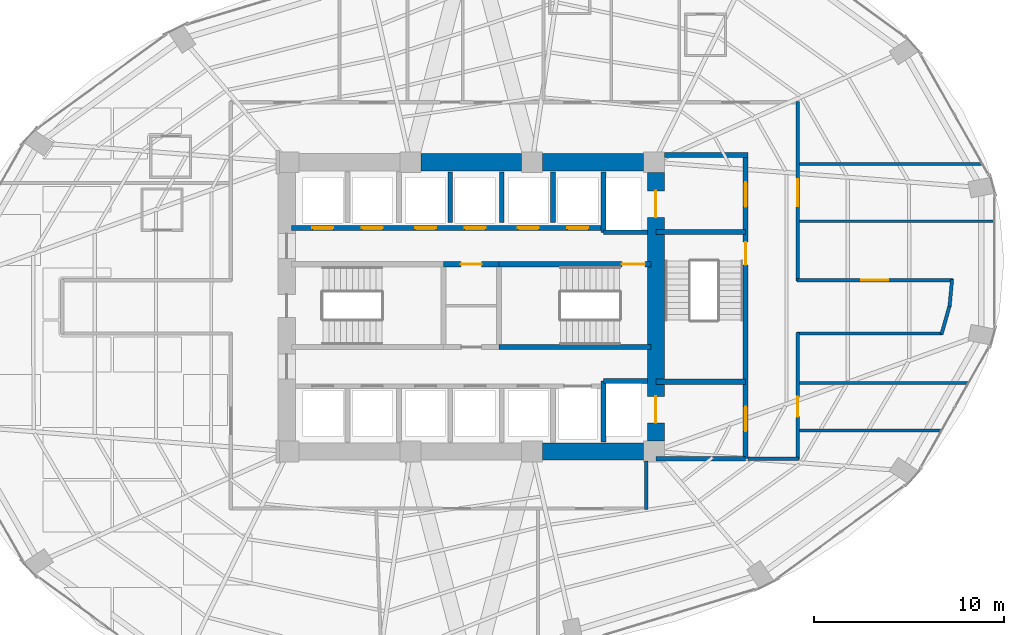
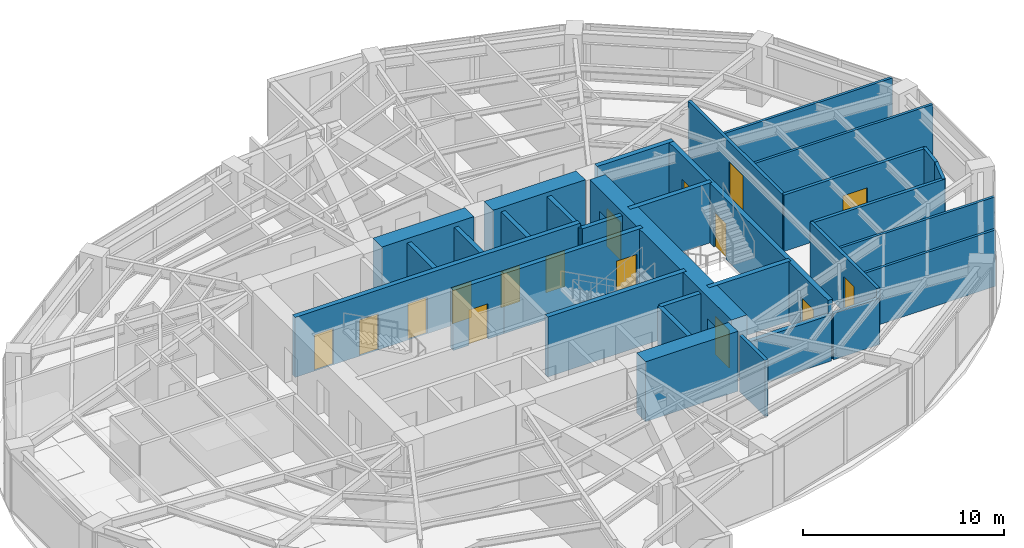
# One storey, part 21 of 24: 32 walls, 16 doors, 16 openings.
"""IFC4 building model written with IfcOpenShell, lengths in metres."""

from ifc_helpers import new_model, si_unit, direction, frame, frame_2d, origin, place, context, subcontext, project, spatial, rectangle, extrude, material, layer, layer_set, type_object, element, fill, save


model = new_model("IFC4")

# Units and contexts
model_context = context("Model", 3, precision=1e-05, world=origin(), true_north=direction((0.0, 1.0)))
body_context = subcontext(model_context, "Body", "Model", "MODEL_VIEW")
ifc_project = project(units=[si_unit("LENGTHUNIT", "METRE"), si_unit("AREAUNIT", "SQUARE_METRE"), si_unit("VOLUMEUNIT", "CUBIC_METRE"), si_unit("PLANEANGLEUNIT", "RADIAN"), si_unit("MASSUNIT", "GRAM", prefix="KILO")], contexts=[model_context])

# Site, building, storey
site_placement = place(None, origin())
site = spatial("IfcSite", under=ifc_project, at=site_placement, CompositionType="ELEMENT")
building_placement = place(site_placement, origin())
building = spatial("IfcBuilding", under=site, at=building_placement, Name="Lazwardi Medical Tower", CompositionType="ELEMENT")
storey_placement = place(building_placement, frame((0.0, 0.0, 54.384033203125)))
storey = spatial("IfcBuildingStorey", under=building, at=storey_placement, Name="L13", CompositionType="ELEMENT", Elevation=54.384033203125)

# Wall, opening, door
ifc_material_1 = material(Name="Fire-rated gypsum board on steel stud", Category="steel")
ifc_layer_1 = layer(ifc_material_1, 0.179931640625)
ifc_layer_set_1 = layer_set([ifc_layer_1], Name="Fire-rated gypsum board on steel stud")
wall_type_1 = type_object("IfcWallType", Name="WL-COR-180", PredefinedType="PARTITIONING", material=ifc_layer_set_1)
wall_1_placement = place(storey_placement, frame((53.14990234375, 38.7900390625, 0.0), z_axis=(0.0, 0.0, 1.0), x_axis=(0.0, -1.0, 0.0)))
wall_1 = element("IfcWall", 1, at=wall_1_placement, inside=storey, type_object=wall_type_1, Name="L13 Corridor partition 5", PredefinedType="PARTITIONING", context=body_context, shape_type="SweptSolid", body=[
    extrude(rectangle(XDim=9.429931640625, YDim=0.179931640625, at=frame_2d((4.71484375, 0.0))), origin(), (0.0, 0.0, 1.0), 3.427978515625),
])
opening_1_placement = place(wall_1_placement, frame((4.090087890625, 0.0, 0.0)))
opening_1 = element("IfcOpeningElement", 2, at=opening_1_placement, cuts=wall_1, Name="Opening D-L13-016", PredefinedType="OPENING", context=body_context, shape_type="SweptSolid", body=[
    extrude(rectangle(XDim=1.39990234375, YDim=2.199951171875, at=frame_2d((0.699951171875, 1.10009765625))), frame((0.0, 0.099853515625, 0.0), z_axis=(0.0, -1.0, 0.0), x_axis=(1.0, 0.0, 0.0)), (0.0, 0.0, 1.0), 0.199951171875),
])
ifc_material_2 = material(Name="Anti-microbial laminate hospital leaf")
door_type_1 = type_object("IfcDoorType", Name="DR-BED-1400", OperationType="NOTDEFINED", PredefinedType="DOOR", material=ifc_material_2)
door_1_placement = place(opening_1_placement, origin())
door_1 = element("IfcDoor", 3, at=door_1_placement, inside=storey, type_object=door_type_1, Name="L13 Inpatient Ward Door 06", OperationType="SINGLE_SWING_RIGHT", OverallHeight=2.199951171875, OverallWidth=1.39990234375, PredefinedType="DOOR", context=body_context, shape_type="SweptSolid", body=[
    extrude(rectangle(XDim=1.39990234375, YDim=2.199951171875, at=frame_2d((0.699951171875, 1.10009765625))), frame((0.0, 0.02490234375, 0.0), z_axis=(0.0, -1.0, 0.0), x_axis=(1.0, 0.0, 0.0)), (0.0, 0.0, 1.0), 0.050048828125),
])
fill(opening_1, door_1)

wall_2_placement = place(storey_placement, frame((53.110107421875, 29.39990234375, 0.0), z_axis=(0.0, 0.0, 1.0), x_axis=(1.0, 0.0, 0.0)))
wall_2 = element("IfcWall", 4, at=wall_2_placement, inside=storey, type_object=wall_type_1, Name="L13 Corridor partition 6", PredefinedType="PARTITIONING", context=body_context, shape_type="SweptSolid", body=[
    extrude(rectangle(XDim=8.19677734375, YDim=0.179931640625, at=frame_2d((4.098388671875, 0.0))), origin(), (0.0, 0.0, 1.0), 3.427978515625),
])
opening_2_placement = place(wall_2_placement, frame((3.3984375, 0.0, 0.0)))
opening_2 = element("IfcOpeningElement", 5, at=opening_2_placement, cuts=wall_2, Name="Opening D-L13-015", PredefinedType="OPENING", context=body_context, shape_type="SweptSolid", body=[
    extrude(rectangle(XDim=1.39990234375, YDim=2.199951171875, at=frame_2d((0.699951171875, 1.10009765625))), frame((0.0, 0.099853515625, 0.0), z_axis=(0.0, -1.0, 0.0), x_axis=(1.0, 0.0, 0.0)), (0.0, 0.0, 1.0), 0.199951171875),
])
door_2_placement = place(opening_2_placement, origin())
door_2 = element("IfcDoor", 6, at=door_2_placement, inside=storey, type_object=door_type_1, Name="L13 Inpatient Ward Door 05", OperationType="SINGLE_SWING_LEFT", OverallHeight=2.199951171875, OverallWidth=1.39990234375, PredefinedType="DOOR", context=body_context, shape_type="SweptSolid", body=[
    extrude(rectangle(XDim=1.39990234375, YDim=2.199951171875, at=frame_2d((0.699951171875, 1.10009765625))), frame((0.0, 0.02490234375, 0.0), z_axis=(0.0, -1.0, 0.0), x_axis=(1.0, 0.0, 0.0)), (0.0, 0.0, 1.0), 0.050048828125),
])
fill(opening_2, door_2)

# Walls
wall_3_placement = place(storey_placement, frame((61.2705078125, 29.439697265625, 0.0), z_axis=(0.0, 0.0, 1.0), x_axis=(-0.092539930621, -0.995708974169, 0.0)))
element("IfcWall", 7, at=wall_3_placement, inside=storey, type_object=wall_type_1, Name="L13 Corridor partition 7", PredefinedType="PARTITIONING", context=body_context, shape_type="SweptSolid", body=[
    extrude(rectangle(XDim=1.416748046875, YDim=0.179931640625, at=frame_2d((0.70849609375, 0.0))), origin(), (0.0, 0.0, 1.0), 3.427978515625),
])
wall_4_placement = place(storey_placement, frame((61.15380859375, 28.107421875, 0.0), z_axis=(0.0, 0.0, 1.0), x_axis=(-0.271748942561, -0.962368179138, 0.0)))
element("IfcWall", 8, at=wall_4_placement, inside=storey, type_object=wall_type_1, Name="L13 Corridor partition 8", PredefinedType="PARTITIONING", context=body_context, shape_type="SweptSolid", body=[
    extrude(rectangle(XDim=1.6064453125, YDim=0.179931640625, at=frame_2d((0.80322265625, 0.0))), origin(), (0.0, 0.0, 1.0), 3.427978515625),
])
wall_5_placement = place(storey_placement, frame((60.768310546875, 26.60009765625, 0.0), z_axis=(0.0, 0.0, 1.0), x_axis=(-1.0, 0.0, 0.0)))
element("IfcWall", 9, at=wall_5_placement, inside=storey, type_object=wall_type_1, Name="L13 Corridor partition 9", PredefinedType="PARTITIONING", context=body_context, shape_type="SweptSolid", body=[
    extrude(rectangle(XDim=7.658203125, YDim=0.179931640625, at=frame_2d((3.8291015625, 0.0))), origin(), (0.0, 0.0, 1.0), 3.427978515625),
])

# Wall, opening, door
wall_6_placement = place(storey_placement, frame((53.14990234375, 26.639892578125, 0.0), z_axis=(0.0, 0.0, 1.0), x_axis=(0.0, -1.0, 0.0)))
wall_6 = element("IfcWall", 10, at=wall_6_placement, inside=storey, type_object=wall_type_1, Name="L13 Corridor partition 10", PredefinedType="PARTITIONING", context=body_context, shape_type="SweptSolid", body=[
    extrude(rectangle(XDim=6.659912109375, YDim=0.179931640625, at=frame_2d((3.330078125, 0.0))), origin(), (0.0, 0.0, 1.0), 3.427978515625),
])
opening_3_placement = place(wall_6_placement, frame((3.364990234375, 0.0, 0.0)))
opening_3 = element("IfcOpeningElement", 11, at=opening_3_placement, cuts=wall_6, Name="Opening D-L13-014", PredefinedType="OPENING", context=body_context, shape_type="SweptSolid", body=[
    extrude(rectangle(XDim=1.050048828125, YDim=2.14990234375, at=frame_2d((0.52490234375, 1.074951171875))), frame((0.0, 0.099853515625, 0.0), z_axis=(0.0, -1.0, 0.0), x_axis=(1.0, 0.0, 0.0)), (0.0, 0.0, 1.0), 0.199951171875),
])
door_type_2 = type_object("IfcDoorType", Name="DR-CLN-1050", OperationType="NOTDEFINED", PredefinedType="DOOR", material=ifc_material_2)
door_3_placement = place(opening_3_placement, origin())
door_3 = element("IfcDoor", 12, at=door_3_placement, inside=storey, type_object=door_type_2, Name="L13 Outpatient Clinic Door 04", OperationType="SINGLE_SWING_RIGHT", OverallHeight=2.14990234375, OverallWidth=1.050048828125, PredefinedType="DOOR", context=body_context, shape_type="SweptSolid", body=[
    extrude(rectangle(XDim=1.050048828125, YDim=2.14990234375, at=frame_2d((0.52490234375, 1.074951171875))), frame((0.0, 0.02490234375, 0.0), z_axis=(0.0, -1.0, 0.0), x_axis=(1.0, 0.0, 0.0)), (0.0, 0.0, 1.0), 0.050048828125),
])
fill(opening_3, door_3)

# Walls
wall_7_placement = place(storey_placement, frame((53.18994140625, 20.02001953125, 0.0), z_axis=(0.0, 0.0, 1.0), x_axis=(-1.0, 0.0, 0.0)))
element("IfcWall", 13, at=wall_7_placement, inside=storey, type_object=wall_type_1, Name="L13 Corridor partition 11", PredefinedType="PARTITIONING", context=body_context, shape_type="SweptSolid", body=[
    extrude(rectangle(XDim=2.64990234375, YDim=0.179931640625, at=frame_2d((1.324951171875, 0.0))), origin(), (0.0, 0.0, 1.0), 2.81298828125),
])
wall_8_placement = place(storey_placement, frame((45.199951171875, 19.909912109375, 0.0), z_axis=(0.0, 0.0, 1.0), x_axis=(0.0, -1.0, 0.0)))
element("IfcWall", 14, at=wall_8_placement, inside=storey, type_object=wall_type_1, Name="L13 Corridor partition 14", PredefinedType="PARTITIONING", context=body_context, shape_type="SweptSolid", body=[
    extrude(rectangle(XDim=2.5498046875, YDim=0.179931640625, at=frame_2d((1.27490234375, 0.0))), origin(), (0.0, 0.0, 1.0), 3.427978515625),
])

# Wall, openings, doors
ifc_material_3 = material(Name="Concrete C80/95", Category="concrete")
ifc_layer_2 = layer(ifc_material_3, 0.89990234375)
ifc_layer_set_2 = layer_set([ifc_layer_2], Name="Concrete C80/95")
wall_type_2 = type_object("IfcWallType", Name="WL-CORE-900", PredefinedType="SHEAR", material=ifc_layer_set_2)
wall_9_placement = place(storey_placement, frame((45.699951171875, 20.949951171875, 0.0), z_axis=(0.0, 0.0, 1.0), x_axis=(0.0, 1.0, 0.0)))
wall_9 = element("IfcWall", 15, at=wall_9_placement, inside=storey, type_object=wall_type_2, Name="Core wall CW-S1 east L13", PredefinedType="SHEAR", context=body_context, shape_type="SweptSolid", body=[
    extrude(rectangle(XDim=14.10009765625, YDim=0.89990234375, at=frame_2d((7.050048828125, 0.0))), origin(), (0.0, 0.0, 1.0), 3.64794921875),
])
opening_4_placement = place(wall_9_placement, frame((11.75, 0.0, 0.0)))
opening_4 = element("IfcOpeningElement", 16, at=opening_4_placement, cuts=wall_9, Name="Opening LD-L13-001", PredefinedType="OPENING", context=body_context, shape_type="SweptSolid", body=[
    extrude(rectangle(XDim=1.39990234375, YDim=2.300048828125, at=frame_2d((0.699951171875, 1.14990234375))), frame((0.0, 0.4599609375, 0.0), z_axis=(0.0, -1.0, 0.0), x_axis=(1.0, 0.0, 0.0)), (0.0, 0.0, 1.0), 0.919921875),
])
opening_5_placement = place(wall_9_placement, frame((0.949951171875, 0.0, 0.0)))
opening_5 = element("IfcOpeningElement", 17, at=opening_5_placement, cuts=wall_9, Name="Opening LD-L13-002", PredefinedType="OPENING", context=body_context, shape_type="SweptSolid", body=[
    extrude(rectangle(XDim=1.39990234375, YDim=2.300048828125, at=frame_2d((0.699951171875, 1.14990234375))), frame((0.0, 0.4599609375, 0.0), z_axis=(0.0, -1.0, 0.0), x_axis=(1.0, 0.0, 0.0)), (0.0, 0.0, 1.0), 0.919921875),
])
ifc_material_4 = material(Name="Brushed stainless steel bed-lift landing door", Category="steel")
door_type_3 = type_object("IfcDoorType", Name="DR-LFT-1400", OperationType="NOTDEFINED", PredefinedType="DOOR", material=ifc_material_4)
door_4_placement = place(opening_4_placement, origin())
door_4 = element("IfcDoor", 18, at=door_4_placement, inside=storey, type_object=door_type_3, Name="L13 Lift Landing Door FL-01", OperationType="SLIDING_TO_LEFT", OverallHeight=2.300048828125, OverallWidth=1.39990234375, PredefinedType="DOOR", context=body_context, shape_type="SweptSolid", body=[
    extrude(rectangle(XDim=1.39990234375, YDim=2.300048828125, at=frame_2d((0.699951171875, 1.14990234375))), frame((0.0, 0.02490234375, 0.0), z_axis=(0.0, -1.0, 0.0), x_axis=(1.0, 0.0, 0.0)), (0.0, 0.0, 1.0), 0.050048828125),
])
fill(opening_4, door_4)
door_5_placement = place(opening_5_placement, origin())
door_5 = element("IfcDoor", 19, at=door_5_placement, inside=storey, type_object=door_type_3, Name="L13 Lift Landing Door FL-02", OperationType="SLIDING_TO_LEFT", OverallHeight=2.300048828125, OverallWidth=1.39990234375, PredefinedType="DOOR", context=body_context, shape_type="SweptSolid", body=[
    extrude(rectangle(XDim=1.39990234375, YDim=2.300048828125, at=frame_2d((0.699951171875, 1.14990234375))), frame((0.0, 0.02490234375, 0.0), z_axis=(0.0, -1.0, 0.0), x_axis=(1.0, 0.0, 0.0)), (0.0, 0.0, 1.0), 0.050048828125),
])
fill(opening_5, door_5)

# Walls
wall_10_placement = place(storey_placement, frame((33.35009765625, 35.60009765625, 0.0), z_axis=(0.0, 0.0, 1.0), x_axis=(1.0, 0.0, 0.0)))
element("IfcWall", 20, at=wall_10_placement, inside=storey, type_object=wall_type_2, Name="Core wall CW-S1 N2 L13", PredefinedType="SHEAR", context=body_context, shape_type="SweptSolid", body=[
    extrude(rectangle(XDim=5.2998046875, YDim=0.89990234375, at=frame_2d((2.64990234375, 0.0))), origin(), (0.0, 0.0, 1.0), 3.64794921875),
])
for number, where, z_axis, x_axis, name in (
    (21, (39.75, 20.39990234375, 0.0), (0.0, 0.0, 1.0), (1.0, 0.0, 0.0), "Core wall CW-S1 S3 L13"),
    (22, (39.75, 35.60009765625, 0.0), (0.0, 0.0, 1.0), (1.0, 0.0, 0.0), "Core wall CW-S1 N3 L13"),
):
    element("IfcWall", number, at=place(storey_placement, frame(where, z_axis=z_axis, x_axis=x_axis)), inside=storey, type_object=wall_type_2, Name=name, PredefinedType="SHEAR", context=body_context, shape_type="SweptSolid", body=[
        extrude(rectangle(XDim=5.300048828125, YDim=0.89990234375, at=frame_2d((2.64990234375, 0.0))), origin(), (0.0, 0.0, 1.0), 3.64794921875),
    ])
ifc_material_5 = material(Name="Autoclaved aerated concrete blockwork", Category="masonry")
ifc_layer_3 = layer(ifc_material_5, 0.25)
ifc_layer_set_3 = layer_set([ifc_layer_3], Name="Autoclaved aerated concrete blockwork")
wall_type_3 = type_object("IfcWallType", Name="WL-SHAFT-250", PredefinedType="SOLIDWALL", material=ifc_layer_set_3)
wall_11_placement = place(storey_placement, frame((42.949951171875, 31.919921875, 0.0), z_axis=(0.0, 0.0, 1.0), x_axis=(0.0, 1.0, 0.0)))
element("IfcWall", 23, at=wall_11_placement, inside=storey, type_object=wall_type_3, Name="L13 FL-01 West shaft wall", PredefinedType="SOLIDWALL", context=body_context, shape_type="SweptSolid", body=[
    extrude(rectangle(XDim=3.18017578125, YDim=0.25, at=frame_2d((1.590087890625, 0.0))), origin(), (0.0, 0.0, 1.0), 3.427978515625),
])
wall_12_placement = place(storey_placement, frame((42.949951171875, 31.919921875, 0.0), z_axis=(0.0, 0.0, 1.0), x_axis=(1.0, 0.0, 0.0)))
element("IfcWall", 24, at=wall_12_placement, inside=storey, type_object=wall_type_3, Name="L13 FL-01 South shaft wall", PredefinedType="SOLIDWALL", context=body_context, shape_type="SweptSolid", body=[
    extrude(rectangle(XDim=2.300048828125, YDim=0.25, at=frame_2d((1.14990234375, 0.0))), origin(), (0.0, 0.0, 1.0), 3.427978515625),
])
wall_13_placement = place(storey_placement, frame((42.949951171875, 20.89990234375, 0.0), z_axis=(0.0, 0.0, 1.0), x_axis=(0.0, 1.0, 0.0)))
element("IfcWall", 25, at=wall_13_placement, inside=storey, type_object=wall_type_3, Name="L13 FL-02 West shaft wall", PredefinedType="SOLIDWALL", context=body_context, shape_type="SweptSolid", body=[
    extrude(rectangle(XDim=3.2001953125, YDim=0.25, at=frame_2d((1.60009765625, 0.0))), origin(), (0.0, 0.0, 1.0), 3.427978515625),
])
wall_14_placement = place(storey_placement, frame((42.949951171875, 24.10009765625, 0.0), z_axis=(0.0, 0.0, 1.0), x_axis=(1.0, 0.0, 0.0)))
element("IfcWall", 26, at=wall_14_placement, inside=storey, type_object=wall_type_3, Name="L13 FL-02 North shaft wall", PredefinedType="SOLIDWALL", context=body_context, shape_type="SweptSolid", body=[
    extrude(rectangle(XDim=2.300048828125, YDim=0.25, at=frame_2d((1.14990234375, 0.0))), origin(), (0.0, 0.0, 1.0), 3.427978515625),
])
for number, where, z_axis, x_axis, name in (
    (27, (34.89990234375, 32.419921875, 0.0), (0.0, 0.0, 1.0), (0.0, 1.0, 0.0), "L13 North hoistway divider"),
    (28, (37.60009765625, 32.419921875, 0.0), (0.0, 0.0, 1.0), (0.0, 1.0, 0.0), "L13 North hoistway divider"),
    (29, (40.300048828125, 32.419921875, 0.0), (0.0, 0.0, 1.0), (0.0, 1.0, 0.0), "L13 North hoistway divider"),
):
    element("IfcWall", number, at=place(storey_placement, frame(where, z_axis=z_axis, x_axis=x_axis)), inside=storey, type_object=wall_type_3, Name=name, PredefinedType="SOLIDWALL", context=body_context, shape_type="SweptSolid", body=[
        extrude(rectangle(XDim=2.68017578125, YDim=0.25, at=frame_2d((1.340087890625, 0.0))), origin(), (0.0, 0.0, 1.0), 3.427978515625),
    ])
wall_15_placement = place(storey_placement, frame((45.699951171875, 20.02001953125, 0.0), z_axis=(0.0, 0.0, 1.0), x_axis=(1.0, 0.0, 0.0)))
element("IfcWall", 30, at=wall_15_placement, inside=storey, type_object=wall_type_3, Name="L13 FFL-S South wall", PredefinedType="SOLIDWALL", context=body_context, shape_type="SweptSolid", body=[
    extrude(rectangle(XDim=4.715087890625, YDim=0.25, at=frame_2d((2.357421875, 0.0))), origin(), (0.0, 0.0, 1.0), 2.81298828125),
])

# Wall, opening, door
ifc_material_6 = material(Name="Concrete C50/60", Category="concrete")
ifc_layer_4 = layer(ifc_material_6, 0.27001953125)
ifc_layer_set_4 = layer_set([ifc_layer_4], Name="Concrete C50/60")
wall_type_4 = type_object("IfcWallType", Name="WL-STR-250", PredefinedType="SHEAR", material=ifc_layer_set_4)
wall_16_placement = place(storey_placement, frame((34.534912109375, 30.235107421875, 0.0), z_axis=(0.0, 0.0, 1.0), x_axis=(1.0, 0.0, 0.0)))
wall_16 = element("IfcWall", 31, at=wall_16_placement, inside=storey, type_object=wall_type_4, Name="L13 Core service North shear wall SW-S1", PredefinedType="SHEAR", context=body_context, shape_type="SweptSolid", body=[
    extrude(rectangle(XDim=2.93017578125, YDim=0.27001953125, at=frame_2d((1.465087890625, 0.0))), origin(), (0.0, 0.0, 1.0), 3.64794921875),
])
opening_6_placement = place(wall_16_placement, frame((0.9150390625, 0.0, 0.0)))
opening_6 = element("IfcOpeningElement", 32, at=opening_6_placement, cuts=wall_16, Name="Opening D-L13-002", PredefinedType="OPENING", context=body_context, shape_type="SweptSolid", body=[
    extrude(rectangle(XDim=1.10009765625, YDim=2.14990234375, at=frame_2d((0.550048828125, 1.074951171875))), frame((0.0, 0.14501953125, 0.0), z_axis=(0.0, -1.0, 0.0), x_axis=(1.0, 0.0, 0.0)), (0.0, 0.0, 1.0), 0.2900390625),
])
ifc_material_7 = material(Name="Fire-rated steel leaf and frame", Category="steel")
door_type_4 = type_object("IfcDoorType", Name="DR-PLT-1100", OperationType="NOTDEFINED", PredefinedType="DOOR", material=ifc_material_7)
door_6_placement = place(opening_6_placement, origin())
door_6 = element("IfcDoor", 33, at=door_6_placement, inside=storey, type_object=door_type_4, Name="L13 Electrical Room Door", OperationType="SINGLE_SWING_RIGHT", OverallHeight=2.14990234375, OverallWidth=1.10009765625, PredefinedType="DOOR", context=body_context, shape_type="SweptSolid", body=[
    extrude(rectangle(XDim=1.10009765625, YDim=2.14990234375, at=frame_2d((0.550048828125, 1.074951171875))), frame((0.0, 0.02490234375, 0.0), z_axis=(0.0, -1.0, 0.0), x_axis=(1.0, 0.0, 0.0)), (0.0, 0.0, 1.0), 0.050048828125),
])
fill(opening_6, door_6)

wall_17_placement = place(storey_placement, frame((37.465087890625, 30.235107421875, 0.0), z_axis=(0.0, 0.0, 1.0), x_axis=(1.0, 0.0, 0.0)))
wall_17 = element("IfcWall", 34, at=wall_17_placement, inside=storey, type_object=wall_type_4, Name="L13 ST2 North shear shaft wall SW-S1", PredefinedType="SHEAR", context=body_context, shape_type="SweptSolid", body=[
    extrude(rectangle(XDim=7.98486328125, YDim=0.27001953125, at=frame_2d((3.992431640625, 0.0))), origin(), (0.0, 0.0, 1.0), 3.64794921875),
])
opening_7_placement = place(wall_17_placement, frame((6.455078125, 0.0, 0.0)))
opening_7 = element("IfcOpeningElement", 35, at=opening_7_placement, cuts=wall_17, Name="Opening D-L13-025", PredefinedType="OPENING", context=body_context, shape_type="SweptSolid", body=[
    extrude(rectangle(XDim=1.199951171875, YDim=2.14990234375, at=frame_2d((0.60009765625, 1.074951171875))), frame((0.0, 0.14501953125, 0.0), z_axis=(0.0, -1.0, 0.0), x_axis=(1.0, 0.0, 0.0)), (0.0, 0.0, 1.0), 0.2900390625),
])
door_type_5 = type_object("IfcDoorType", Name="DR-STR-1200", OperationType="NOTDEFINED", PredefinedType="DOOR", material=ifc_material_7)
door_7_placement = place(opening_7_placement, origin())
door_7 = element("IfcDoor", 36, at=door_7_placement, inside=storey, type_object=door_type_5, Name="L13 Exit Stair ST2 Door", OperationType="SINGLE_SWING_RIGHT", OverallHeight=2.14990234375, OverallWidth=1.199951171875, PredefinedType="DOOR", context=body_context, shape_type="SweptSolid", body=[
    extrude(rectangle(XDim=1.199951171875, YDim=2.14990234375, at=frame_2d((0.60009765625, 1.074951171875))), frame((0.0, 0.02490234375, 0.0), z_axis=(0.0, -1.0, 0.0), x_axis=(1.0, 0.0, 0.0)), (0.0, 0.0, 1.0), 0.050048828125),
])
fill(opening_7, door_7)

# Wall
wall_18_placement = place(storey_placement, frame((37.465087890625, 25.885009765625, 0.0), z_axis=(0.0, 0.0, 1.0), x_axis=(1.0, 0.0, 0.0)))
element("IfcWall", 37, at=wall_18_placement, inside=storey, type_object=wall_type_4, Name="L13 ST2 South shear shaft wall SW-S1", PredefinedType="SHEAR", context=body_context, shape_type="SweptSolid", body=[
    extrude(rectangle(XDim=7.98486328125, YDim=0.27001953125, at=frame_2d((3.992431640625, 0.0))), origin(), (0.0, 0.0, 1.0), 3.64794921875),
])

# Wall, openings, doors
wall_19_placement = place(storey_placement, frame((26.550048828125, 32.14990234375, 0.0), z_axis=(0.0, 0.0, 1.0), x_axis=(1.0, 0.0, 0.0)))
wall_19 = element("IfcWall", 38, at=wall_19_placement, inside=storey, type_object=wall_type_4, Name="L13 North lift bank shear wall SW-S1", PredefinedType="SHEAR", context=body_context, shape_type="SweptSolid", body=[
    extrude(rectangle(XDim=16.39990234375, YDim=0.27001953125, at=frame_2d((8.199951171875, 0.0))), origin(), (0.0, 0.0, 1.0), 3.64794921875),
])
opening_8_placement = place(wall_19_placement, frame((1.10009765625, 0.0, 0.0)))
opening_8 = element("IfcOpeningElement", 39, at=opening_8_placement, cuts=wall_19, Name="Opening LD-L13-004", PredefinedType="OPENING", context=body_context, shape_type="SweptSolid", body=[
    extrude(rectangle(XDim=1.10009765625, YDim=2.199951171875, at=frame_2d((0.550048828125, 1.10009765625))), frame((0.0, 0.14501953125, 0.0), z_axis=(0.0, -1.0, 0.0), x_axis=(1.0, 0.0, 0.0)), (0.0, 0.0, 1.0), 0.2900390625),
])
opening_9_placement = place(wall_19_placement, frame((3.699951171875, 0.0, 0.0)))
opening_9 = element("IfcOpeningElement", 40, at=opening_9_placement, cuts=wall_19, Name="Opening LD-L13-005", PredefinedType="OPENING", context=body_context, shape_type="SweptSolid", body=[
    extrude(rectangle(XDim=1.10009765625, YDim=2.199951171875, at=frame_2d((0.550048828125, 1.10009765625))), frame((0.0, 0.14501953125, 0.0), z_axis=(0.0, -1.0, 0.0), x_axis=(1.0, 0.0, 0.0)), (0.0, 0.0, 1.0), 0.2900390625),
])
opening_10_placement = place(wall_19_placement, frame((6.5, 0.0, 0.0)))
opening_10 = element("IfcOpeningElement", 41, at=opening_10_placement, cuts=wall_19, Name="Opening LD-L13-008", PredefinedType="OPENING", context=body_context, shape_type="SweptSolid", body=[
    extrude(rectangle(XDim=1.10009765625, YDim=2.199951171875, at=frame_2d((0.550048828125, 1.10009765625))), frame((0.0, 0.14501953125, 0.0), z_axis=(0.0, -1.0, 0.0), x_axis=(1.0, 0.0, 0.0)), (0.0, 0.0, 1.0), 0.2900390625),
])
opening_11_placement = place(wall_19_placement, frame((9.10009765625, 0.0, 0.0)))
opening_11 = element("IfcOpeningElement", 42, at=opening_11_placement, cuts=wall_19, Name="Opening LD-L13-009", PredefinedType="OPENING", context=body_context, shape_type="SweptSolid", body=[
    extrude(rectangle(XDim=1.10009765625, YDim=2.199951171875, at=frame_2d((0.550048828125, 1.10009765625))), frame((0.0, 0.14501953125, 0.0), z_axis=(0.0, -1.0, 0.0), x_axis=(1.0, 0.0, 0.0)), (0.0, 0.0, 1.0), 0.2900390625),
])
opening_12_placement = place(wall_19_placement, frame((11.89990234375, 0.0, 0.0)))
opening_12 = element("IfcOpeningElement", 43, at=opening_12_placement, cuts=wall_19, Name="Opening LD-L13-012", PredefinedType="OPENING", context=body_context, shape_type="SweptSolid", body=[
    extrude(rectangle(XDim=1.10009765625, YDim=2.199951171875, at=frame_2d((0.550048828125, 1.10009765625))), frame((0.0, 0.14501953125, 0.0), z_axis=(0.0, -1.0, 0.0), x_axis=(1.0, 0.0, 0.0)), (0.0, 0.0, 1.0), 0.2900390625),
])
opening_13_placement = place(wall_19_placement, frame((14.5, 0.0, 0.0)))
opening_13 = element("IfcOpeningElement", 44, at=opening_13_placement, cuts=wall_19, Name="Opening LD-L13-013", PredefinedType="OPENING", context=body_context, shape_type="SweptSolid", body=[
    extrude(rectangle(XDim=1.10009765625, YDim=2.199951171875, at=frame_2d((0.550048828125, 1.10009765625))), frame((0.0, 0.14501953125, 0.0), z_axis=(0.0, -1.0, 0.0), x_axis=(1.0, 0.0, 0.0)), (0.0, 0.0, 1.0), 0.2900390625),
])
ifc_material_8 = material(Name="Brushed bronze stainless steel landing door", Category="steel")
door_type_6 = type_object("IfcDoorType", Name="DR-LFT-1100", OperationType="NOTDEFINED", PredefinedType="DOOR", material=ifc_material_8)
door_8_placement = place(opening_8_placement, origin())
door_8 = element("IfcDoor", 45, at=door_8_placement, inside=storey, type_object=door_type_6, Name="L13 Lift Landing Door PL-01", OperationType="SLIDING_TO_LEFT", OverallHeight=2.199951171875, OverallWidth=1.10009765625, PredefinedType="DOOR", context=body_context, shape_type="SweptSolid", body=[
    extrude(rectangle(XDim=1.10009765625, YDim=2.199951171875, at=frame_2d((0.550048828125, 1.10009765625))), frame((0.0, 0.02490234375, 0.0), z_axis=(0.0, -1.0, 0.0), x_axis=(1.0, 0.0, 0.0)), (0.0, 0.0, 1.0), 0.050048828125),
])
fill(opening_8, door_8)
door_9_placement = place(opening_9_placement, origin())
door_9 = element("IfcDoor", 46, at=door_9_placement, inside=storey, type_object=door_type_6, Name="L13 Lift Landing Door PL-02", OperationType="SLIDING_TO_LEFT", OverallHeight=2.199951171875, OverallWidth=1.10009765625, PredefinedType="DOOR", context=body_context, shape_type="SweptSolid", body=[
    extrude(rectangle(XDim=1.10009765625, YDim=2.199951171875, at=frame_2d((0.550048828125, 1.10009765625))), frame((0.0, 0.02490234375, 0.0), z_axis=(0.0, -1.0, 0.0), x_axis=(1.0, 0.0, 0.0)), (0.0, 0.0, 1.0), 0.050048828125),
])
fill(opening_9, door_9)
door_10_placement = place(opening_10_placement, origin())
door_10 = element("IfcDoor", 47, at=door_10_placement, inside=storey, type_object=door_type_6, Name="L13 Lift Landing Door PL-05", OperationType="SLIDING_TO_LEFT", OverallHeight=2.199951171875, OverallWidth=1.10009765625, PredefinedType="DOOR", context=body_context, shape_type="SweptSolid", body=[
    extrude(rectangle(XDim=1.10009765625, YDim=2.199951171875, at=frame_2d((0.550048828125, 1.10009765625))), frame((0.0, 0.02490234375, 0.0), z_axis=(0.0, -1.0, 0.0), x_axis=(1.0, 0.0, 0.0)), (0.0, 0.0, 1.0), 0.050048828125),
])
fill(opening_10, door_10)
door_11_placement = place(opening_11_placement, origin())
door_11 = element("IfcDoor", 48, at=door_11_placement, inside=storey, type_object=door_type_6, Name="L13 Lift Landing Door PL-06", OperationType="SLIDING_TO_LEFT", OverallHeight=2.199951171875, OverallWidth=1.10009765625, PredefinedType="DOOR", context=body_context, shape_type="SweptSolid", body=[
    extrude(rectangle(XDim=1.10009765625, YDim=2.199951171875, at=frame_2d((0.550048828125, 1.10009765625))), frame((0.0, 0.02490234375, 0.0), z_axis=(0.0, -1.0, 0.0), x_axis=(1.0, 0.0, 0.0)), (0.0, 0.0, 1.0), 0.050048828125),
])
fill(opening_11, door_11)
door_12_placement = place(opening_12_placement, origin())
door_12 = element("IfcDoor", 49, at=door_12_placement, inside=storey, type_object=door_type_6, Name="L13 Lift Landing Door PL-09", OperationType="SLIDING_TO_LEFT", OverallHeight=2.199951171875, OverallWidth=1.10009765625, PredefinedType="DOOR", context=body_context, shape_type="SweptSolid", body=[
    extrude(rectangle(XDim=1.10009765625, YDim=2.199951171875, at=frame_2d((0.550048828125, 1.10009765625))), frame((0.0, 0.02490234375, 0.0), z_axis=(0.0, -1.0, 0.0), x_axis=(1.0, 0.0, 0.0)), (0.0, 0.0, 1.0), 0.050048828125),
])
fill(opening_12, door_12)
door_13_placement = place(opening_13_placement, origin())
door_13 = element("IfcDoor", 50, at=door_13_placement, inside=storey, type_object=door_type_6, Name="L13 Lift Landing Door PL-10", OperationType="SLIDING_TO_LEFT", OverallHeight=2.199951171875, OverallWidth=1.10009765625, PredefinedType="DOOR", context=body_context, shape_type="SweptSolid", body=[
    extrude(rectangle(XDim=1.10009765625, YDim=2.199951171875, at=frame_2d((0.550048828125, 1.10009765625))), frame((0.0, 0.02490234375, 0.0), z_axis=(0.0, -1.0, 0.0), x_axis=(1.0, 0.0, 0.0)), (0.0, 0.0, 1.0), 0.050048828125),
])
fill(opening_13, door_13)

wall_20_placement = place(storey_placement, frame((50.4150390625, 35.844970703125, 0.0), z_axis=(0.0, 0.0, 1.0), x_axis=(0.0, -1.0, 0.0)))
wall_20 = element("IfcWall", 51, at=wall_20_placement, inside=storey, type_object=wall_type_4, Name="L13 East ST3 & FFL shear wall SW-S1", PredefinedType="SHEAR", context=body_context, shape_type="SweptSolid", body=[
    extrude(rectangle(XDim=15.824951171875, YDim=0.27001953125, at=frame_2d((7.91259765625, 0.0))), origin(), (0.0, 0.0, 1.0), 3.64794921875),
])
opening_14_placement = place(wall_20_placement, frame((4.445068359375, 0.0, 0.0)))
opening_14 = element("IfcOpeningElement", 52, at=opening_14_placement, cuts=wall_20, Name="Opening D-L13-026", PredefinedType="OPENING", context=body_context, shape_type="SweptSolid", body=[
    extrude(rectangle(XDim=1.199951171875, YDim=2.14990234375, at=frame_2d((0.60009765625, 1.074951171875))), frame((0.0, 0.14501953125, 0.0), z_axis=(0.0, -1.0, 0.0), x_axis=(1.0, 0.0, 0.0)), (0.0, 0.0, 1.0), 0.2900390625),
])
opening_15_placement = place(wall_20_placement, frame((1.294921875, 0.0, 0.0)))
opening_15 = element("IfcOpeningElement", 53, at=opening_15_placement, cuts=wall_20, Name="Opening D-L13-007", PredefinedType="OPENING", context=body_context, shape_type="SweptSolid", body=[
    extrude(rectangle(XDim=1.300048828125, YDim=2.199951171875, at=frame_2d((0.64990234375, 1.10009765625))), frame((0.0, 0.14501953125, 0.0), z_axis=(0.0, -1.0, 0.0), x_axis=(1.0, 0.0, 0.0)), (0.0, 0.0, 1.0), 0.2900390625),
])
opening_16_placement = place(wall_20_placement, frame((13.094970703125, 0.0, 0.0)))
opening_16 = element("IfcOpeningElement", 54, at=opening_16_placement, cuts=wall_20, Name="Opening D-L13-008", PredefinedType="OPENING", context=body_context, shape_type="SweptSolid", body=[
    extrude(rectangle(XDim=1.300048828125, YDim=2.199951171875, at=frame_2d((0.64990234375, 1.10009765625))), frame((0.0, 0.14501953125, 0.0), z_axis=(0.0, -1.0, 0.0), x_axis=(1.0, 0.0, 0.0)), (0.0, 0.0, 1.0), 0.2900390625),
])
door_type_7 = type_object("IfcDoorType", Name="DR-FFL-1300", OperationType="NOTDEFINED", PredefinedType="DOOR", material=ifc_material_7)
door_14_placement = place(opening_15_placement, origin())
door_14 = element("IfcDoor", 55, at=door_14_placement, inside=storey, type_object=door_type_7, Name="L13 Fire-Fighting Lobby North Door", OperationType="SINGLE_SWING_RIGHT", OverallHeight=2.199951171875, OverallWidth=1.300048828125, PredefinedType="DOOR", context=body_context, shape_type="SweptSolid", body=[
    extrude(rectangle(XDim=1.300048828125, YDim=2.199951171875, at=frame_2d((0.64990234375, 1.10009765625))), frame((0.0, 0.02490234375, 0.0), z_axis=(0.0, -1.0, 0.0), x_axis=(1.0, 0.0, 0.0)), (0.0, 0.0, 1.0), 0.050048828125),
])
fill(opening_15, door_14)
door_15_placement = place(opening_16_placement, origin())
door_15 = element("IfcDoor", 56, at=door_15_placement, inside=storey, type_object=door_type_7, Name="L13 Fire-Fighting Lobby South Door", OperationType="SINGLE_SWING_LEFT", OverallHeight=2.199951171875, OverallWidth=1.300048828125, PredefinedType="DOOR", context=body_context, shape_type="SweptSolid", body=[
    extrude(rectangle(XDim=1.300048828125, YDim=2.199951171875, at=frame_2d((0.64990234375, 1.10009765625))), frame((0.0, 0.02490234375, 0.0), z_axis=(0.0, -1.0, 0.0), x_axis=(1.0, 0.0, 0.0)), (0.0, 0.0, 1.0), 0.050048828125),
])
fill(opening_16, door_15)
door_16_placement = place(opening_14_placement, origin())
door_16 = element("IfcDoor", 57, at=door_16_placement, inside=storey, type_object=door_type_5, Name="L13 Exit Stair ST3 Door", OperationType="SINGLE_SWING_LEFT", OverallHeight=2.14990234375, OverallWidth=1.199951171875, PredefinedType="DOOR", context=body_context, shape_type="SweptSolid", body=[
    extrude(rectangle(XDim=1.199951171875, YDim=2.14990234375, at=frame_2d((0.60009765625, 1.074951171875))), frame((0.0, 0.02490234375, 0.0), z_axis=(0.0, -1.0, 0.0), x_axis=(1.0, 0.0, 0.0)), (0.0, 0.0, 1.0), 0.050048828125),
])
fill(opening_14, door_16)

# Walls
wall_21_placement = place(storey_placement, frame((46.14990234375, 35.97998046875, 0.0), z_axis=(0.0, 0.0, 1.0), x_axis=(1.0, 0.0, 0.0)))
element("IfcWall", 58, at=wall_21_placement, inside=storey, type_object=wall_type_4, Name="L13 FFL-N North shear wall SW-S1", PredefinedType="SHEAR", context=body_context, shape_type="SweptSolid", body=[
    extrude(rectangle(XDim=4.400146484375, YDim=0.27001953125, at=frame_2d((2.2001953125, 0.0))), origin(), (0.0, 0.0, 1.0), 3.64794921875),
])
for number, where, z_axis, x_axis, name in (
    (59, (45.699951171875, 31.93505859375, 0.0), (0.0, 0.0, 1.0), (1.0, 0.0, 0.0), "L13 ST3 North shear shaft wall SW-S1"),
    (60, (45.699951171875, 24.06494140625, 0.0), (0.0, 0.0, 1.0), (1.0, 0.0, 0.0), "L13 ST3 South shear shaft wall SW-S1"),
):
    element("IfcWall", number, at=place(storey_placement, frame(where, z_axis=z_axis, x_axis=x_axis)), inside=storey, type_object=wall_type_4, Name=name, PredefinedType="SHEAR", context=body_context, shape_type="SweptSolid", body=[
        extrude(rectangle(XDim=4.715087890625, YDim=0.27001953125, at=frame_2d((2.357421875, 0.0))), origin(), (0.0, 0.0, 1.0), 3.64794921875),
    ])
ifc_material_9 = material(Name="Acoustic gypsum board partition")
ifc_layer_5 = layer(ifc_material_9, 0.14990234375)
ifc_layer_set_5 = layer_set([ifc_layer_5], Name="Acoustic gypsum board partition")
wall_type_5 = type_object("IfcWallType", Name="WL-WRD-150", PredefinedType="PARTITIONING", material=ifc_layer_set_5)
wall_22_placement = place(storey_placement, frame((53.239990234375, 21.5, 0.0), z_axis=(0.0, 0.0, 1.0), x_axis=(1.0, 0.0, 0.0)))
element("IfcWall", 61, at=wall_22_placement, inside=storey, type_object=wall_type_5, Name="L13 Room partition 2", PredefinedType="PARTITIONING", context=body_context, shape_type="SweptSolid", body=[
    extrude(rectangle(XDim=7.47900390625, YDim=0.14990234375, at=frame_2d((3.739501953125, 0.0))), origin(), (0.0, 0.0, 1.0), 3.427978515625),
])
wall_23_placement = place(storey_placement, frame((53.239990234375, 24.0, 0.0), z_axis=(0.0, 0.0, 1.0), x_axis=(1.0, 0.0, 0.0)))
element("IfcWall", 62, at=wall_23_placement, inside=storey, type_object=wall_type_5, Name="L13 Room partition 3", PredefinedType="PARTITIONING", context=body_context, shape_type="SweptSolid", body=[
    extrude(rectangle(XDim=8.895263671875, YDim=0.14990234375, at=frame_2d((4.44775390625, 0.0))), origin(), (0.0, 0.0, 1.0), 3.427978515625),
])
wall_24_placement = place(storey_placement, frame((53.239990234375, 32.5, 0.0), z_axis=(0.0, 0.0, 1.0), x_axis=(1.0, 0.0, 0.0)))
element("IfcWall", 63, at=wall_24_placement, inside=storey, type_object=wall_type_5, Name="L13 Room partition 4", PredefinedType="PARTITIONING", context=body_context, shape_type="SweptSolid", body=[
    extrude(rectangle(XDim=10.252197265625, YDim=0.14990234375, at=frame_2d((5.1259765625, 0.0))), origin(), (0.0, 0.0, 1.0), 3.427978515625),
])
wall_25_placement = place(storey_placement, frame((53.239990234375, 35.5, 0.0), z_axis=(0.0, 0.0, 1.0), x_axis=(1.0, 0.0, 0.0)))
element("IfcWall", 64, at=wall_25_placement, inside=storey, type_object=wall_type_5, Name="L13 Room partition 5", PredefinedType="PARTITIONING", context=body_context, shape_type="SweptSolid", body=[
    extrude(rectangle(XDim=9.631591796875, YDim=0.14990234375, at=frame_2d((4.81591796875, 0.0))), origin(), (0.0, 0.0, 1.0), 3.427978515625),
])

save(model, "model.ifc")
